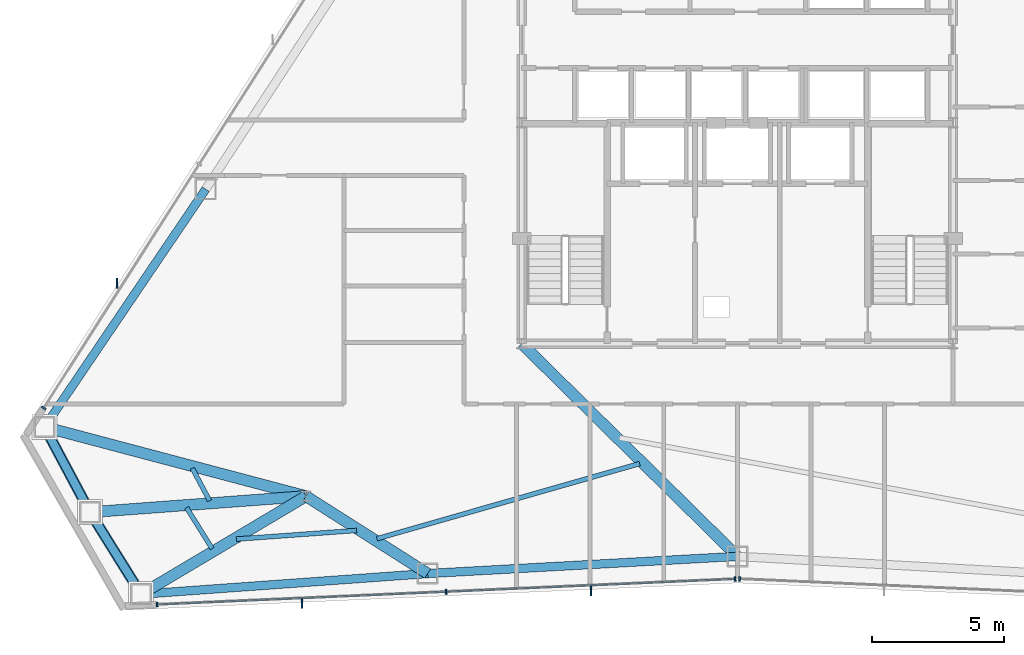
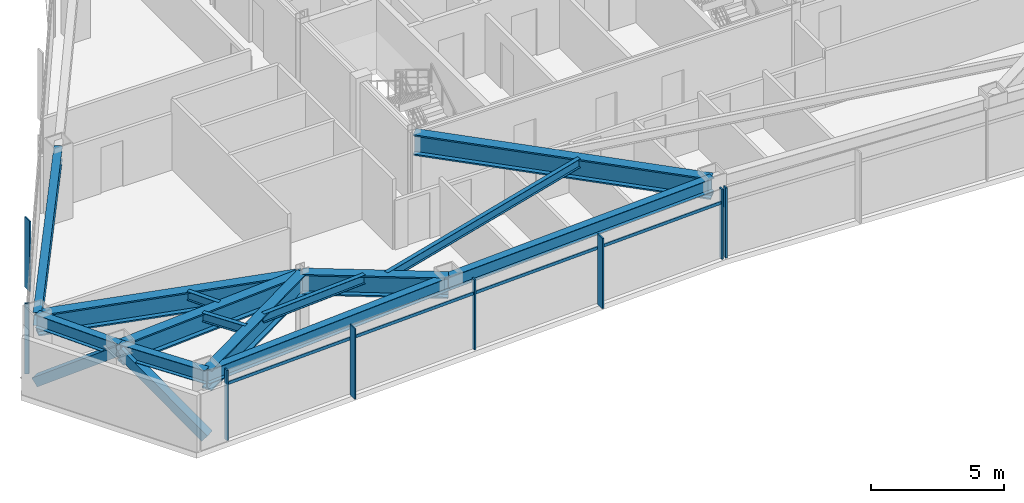
# One storey, part 3 of 13: 14 beams, 11 members, 3 elements without a shape of their own.
"""IFC4 building model written with IfcOpenShell, lengths in metres."""

from ifc_helpers import new_model, si_unit, direction, frame, origin, origin_2d, place, context, subcontext, project, spatial, rectangle, hollow_rectangle, i_section, extrude, source, transform, mapped, material, layer, layer_set, material_profile, profile_set, type_object, type_shapes, element, aggregate, save


model = new_model("IFC4")

# Units and contexts
model_context = context("Model", 3, precision=1e-05, world=origin(), true_north=direction((0.0, 1.0)))
body_context = subcontext(model_context, "Body", "Model", "MODEL_VIEW")
ifc_project = project(units=[si_unit("LENGTHUNIT", "METRE"), si_unit("AREAUNIT", "SQUARE_METRE"), si_unit("VOLUMEUNIT", "CUBIC_METRE"), si_unit("PLANEANGLEUNIT", "RADIAN"), si_unit("MASSUNIT", "GRAM", prefix="KILO")], contexts=[model_context])

# Site, building, storey
site_placement = place(None, origin())
site = spatial("IfcSite", under=ifc_project, at=site_placement, CompositionType="ELEMENT")
building_placement = place(site_placement, origin())
building = spatial("IfcBuilding", under=site, at=building_placement, Name="Varakhsha Concourse Tower", CompositionType="ELEMENT")
storey_placement = place(building_placement, frame((0.0, 0.0, 182.699951171875)))
storey = spatial("IfcBuildingStorey", under=building, at=storey_placement, Name="L52", CompositionType="ELEMENT", Elevation=182.699951171875)

# Beams
ifc_material_1 = material(Name="Structural Steel ASTM A992 Grade 50", Category="steel")
ifc_material_profile_1 = material_profile(ifc_material_1, i_section(OverallWidth=0.177978515625, OverallDepth=0.406982421875, WebThickness=0.008056640625, FlangeThickness=0.012939453125, at=origin_2d()), Name="W16X40")
ifc_profile_set_1 = profile_set([ifc_material_profile_1], Name="Structural Steel ASTM A992 Grade 50")
beam_type_1 = type_object("IfcBeamType", Name="BM-JST-W16X40", PredefinedType="JOIST", material=ifc_profile_set_1)
beam_1_placement = place(storey_placement, frame((19.27880859375, 11.660400390625, 3.006591796875), z_axis=(0.47050649777, -0.88239652966, 0.0), x_axis=(0.88239652966, 0.47050649777, 0.0)))
element("IfcBeam", 1, at=beam_1_placement, inside=storey, type_object=beam_type_1, Name="BM-TJST-L52-07", PredefinedType="JOIST", context=body_context, shape_type="SweptSolid", body=[
    extrude(i_section(OverallWidth=0.177978515625, OverallDepth=0.406982421875, WebThickness=0.008056640625, FlangeThickness=0.012939453125, at=origin_2d()), origin(), (0.0, 0.0, 1.0), 1.395263671875),
])
beam_2_placement = place(storey_placement, frame((19.06005859375, 10.16552734375, 3.006591796875), z_axis=(0.528910929319, -0.848677340835, 0.0), x_axis=(0.848677340835, 0.528910929319, 0.0)))
element("IfcBeam", 2, at=beam_2_placement, inside=storey, type_object=beam_type_1, Name="BM-TJST-L52-08", PredefinedType="JOIST", context=body_context, shape_type="SweptSolid", body=[
    extrude(i_section(OverallWidth=0.177978515625, OverallDepth=0.406982421875, WebThickness=0.008056640625, FlangeThickness=0.012939453125, at=origin_2d()), origin(), (0.0, 0.0, 1.0), 1.836181640625),
])
beam_3_placement = place(storey_placement, frame((20.951416015625, 8.96875, 3.006591796875), z_axis=(0.99741745466, 0.071822149372, 0.0), x_axis=(-0.071822149372, 0.99741745466, 0.0)))
element("IfcBeam", 3, at=beam_3_placement, inside=storey, type_object=beam_type_1, Name="BM-TJST-L52-09", PredefinedType="JOIST", context=body_context, shape_type="SweptSolid", body=[
    extrude(i_section(OverallWidth=0.177978515625, OverallDepth=0.406982421875, WebThickness=0.008056640625, FlangeThickness=0.012939453125, at=origin_2d()), origin(), (0.0, 0.0, 1.0), 4.585693359375),
])
beam_4_placement = place(storey_placement, frame((26.29541015625, 8.9833984375, 3.006591796875), z_axis=(0.961449438596, 0.274981775801, 0.0), x_axis=(-0.274981775801, 0.961449438596, 0.0)))
element("IfcBeam", 4, at=beam_4_placement, inside=storey, type_object=beam_type_1, Name="BM-TJST-L52-10", PredefinedType="JOIST", context=body_context, shape_type="SweptSolid", body=[
    extrude(i_section(OverallWidth=0.177978515625, OverallDepth=0.406982421875, WebThickness=0.008056640625, FlangeThickness=0.012939453125, at=origin_2d()), origin(), (0.0, 0.0, 1.0), 10.391357421875),
])
ifc_material_profile_2 = material_profile(ifc_material_1, i_section(OverallWidth=0.423095703125, OverallDepth=0.947998046875, WebThickness=0.0380859375, FlangeThickness=0.06396484375, at=origin_2d()), Name="W36X302")
ifc_profile_set_2 = profile_set([ifc_material_profile_2], Name="Structural Steel ASTM A992 Grade 50")
beam_type_2 = type_object("IfcBeamType", Name="BM-OUTR-W36X302", PredefinedType="USERDEFINED", material=ifc_profile_set_2)
beam_5_placement = place(storey_placement, frame((23.60009765625, 10.60009765625, 2.736083984375), z_axis=(-0.966706264469, 0.255888644213, 0.0), x_axis=(-0.255888644213, -0.966706264469, 0.0)))
element("IfcBeam", 5, at=beam_5_placement, inside=storey, type_object=beam_type_2, Name="L52 Radial Floor Girder 07", ObjectType="GIRDER", PredefinedType="USERDEFINED", context=body_context, shape_type="SweptSolid", body=[
    extrude(i_section(OverallWidth=0.423095703125, OverallDepth=0.947998046875, WebThickness=0.0380859375, FlangeThickness=0.06396484375, at=origin_2d()), origin(), (0.0, 0.0, 1.0), 10.28125),
])
beam_6_placement = place(storey_placement, frame((23.60009765625, 10.60009765625, 2.736083984375), z_axis=(-0.997259576834, -0.073982000601, 0.0), x_axis=(0.073982000601, -0.997259576834, 0.0)))
element("IfcBeam", 6, at=beam_6_placement, inside=storey, type_object=beam_type_2, Name="L52 Radial Floor Girder 08", ObjectType="GIRDER", PredefinedType="USERDEFINED", context=body_context, shape_type="SweptSolid", body=[
    extrude(i_section(OverallWidth=0.423095703125, OverallDepth=0.947998046875, WebThickness=0.0380859375, FlangeThickness=0.06396484375, at=origin_2d()), origin(), (0.0, 0.0, 1.0), 8.2333984375),
])
beam_7_placement = place(storey_placement, frame((23.60009765625, 10.60009765625, 2.736083984375), z_axis=(-0.859653517762, -0.510877509193, 0.0), x_axis=(0.510877509193, -0.859653517762, 0.0)))
element("IfcBeam", 7, at=beam_7_placement, inside=storey, type_object=beam_type_2, Name="L52 Radial Floor Girder 09", ObjectType="GIRDER", PredefinedType="USERDEFINED", context=body_context, shape_type="SweptSolid", body=[
    extrude(i_section(OverallWidth=0.423095703125, OverallDepth=0.947998046875, WebThickness=0.0380859375, FlangeThickness=0.06396484375, at=origin_2d()), origin(), (0.0, 0.0, 1.0), 7.29248046875),
])
beam_8_placement = place(storey_placement, frame((23.60009765625, 10.60009765625, 2.736083984375), z_axis=(0.843843041269, -0.536590087218, 0.0), x_axis=(0.536590087218, 0.843843041269, 0.0)))
element("IfcBeam", 8, at=beam_8_placement, inside=storey, type_object=beam_type_2, Name="L52 Radial Floor Girder 10", ObjectType="GIRDER", PredefinedType="USERDEFINED", context=body_context, shape_type="SweptSolid", body=[
    extrude(i_section(OverallWidth=0.423095703125, OverallDepth=0.947998046875, WebThickness=0.0380859375, FlangeThickness=0.06396484375, at=origin_2d()), origin(), (0.0, 0.0, 1.0), 5.480224609375),
])
beam_9_placement = place(storey_placement, frame((31.800048828125, 16.39990234375, 2.736083984375), z_axis=(0.711976030117, -0.702203768531, 0.0), x_axis=(0.702203768531, 0.711976030117, 0.0)))
element("IfcBeam", 9, at=beam_9_placement, inside=storey, type_object=beam_type_2, Name="L52 Radial Floor Girder 11", ObjectType="GIRDER", PredefinedType="USERDEFINED", context=body_context, shape_type="SweptSolid", body=[
    extrude(i_section(OverallWidth=0.423095703125, OverallDepth=0.947998046875, WebThickness=0.0380859375, FlangeThickness=0.06396484375, at=origin_2d()), origin(), (0.0, 0.0, 1.0), 11.51708984375),
])
ifc_material_profile_3 = material_profile(ifc_material_1, i_section(OverallWidth=0.323974609375, OverallDepth=0.611083984375, WebThickness=0.012939453125, FlangeThickness=0.01904296875, at=origin_2d()), Name="W24X104")
ifc_profile_set_3 = profile_set([ifc_material_profile_3], Name="Structural Steel ASTM A992 Grade 50")
beam_type_3 = type_object("IfcBeamType", Name="BM-SPAN-W24X104", PredefinedType="SPANDREL", material=ifc_profile_set_3)
beam_10_placement = place(storey_placement, frame((19.78759765625, 22.2724609375, 2.904541015625), z_axis=(-0.560946995481, -0.827851718764, 0.0), x_axis=(0.827851718764, -0.560946995481, 0.0)))
element("IfcBeam", 10, at=beam_10_placement, inside=storey, type_object=beam_type_3, Name="BM-SPAN-L52-06", PredefinedType="SPANDREL", context=body_context, shape_type="SweptSolid", body=[
    extrude(i_section(OverallWidth=0.323974609375, OverallDepth=0.611083984375, WebThickness=0.012939453125, FlangeThickness=0.01904296875, at=origin_2d()), origin(), (0.0, 0.0, 1.0), 10.921630859375),
])
beam_11_placement = place(storey_placement, frame((13.6611328125, 13.23095703125, 2.904541015625), z_axis=(0.470595137047, -0.882349260207, 0.0), x_axis=(0.882349260207, 0.470595137047, 0.0)))
element("IfcBeam", 11, at=beam_11_placement, inside=storey, type_object=beam_type_3, Name="BM-SPAN-L52-07", PredefinedType="SPANDREL", context=body_context, shape_type="SweptSolid", body=[
    extrude(i_section(OverallWidth=0.323974609375, OverallDepth=0.611083984375, WebThickness=0.012939453125, FlangeThickness=0.01904296875, at=origin_2d()), origin(), (0.0, 0.0, 1.0), 3.672119140625),
])
beam_12_placement = place(storey_placement, frame((15.38916015625, 9.990966796875, 2.904541015625), z_axis=(0.528844996181, -0.848718427993, 0.0), x_axis=(0.848718427993, 0.528844996181, 0.0)))
element("IfcBeam", 12, at=beam_12_placement, inside=storey, type_object=beam_type_3, Name="BM-SPAN-L52-08", PredefinedType="SPANDREL", context=body_context, shape_type="SweptSolid", body=[
    extrude(i_section(OverallWidth=0.323974609375, OverallDepth=0.611083984375, WebThickness=0.012939453125, FlangeThickness=0.01904296875, at=origin_2d()), origin(), (0.0, 0.0, 1.0), 3.671875),
])
beam_13_placement = place(storey_placement, frame((17.3310546875, 6.87451171875, 2.904541015625), z_axis=(0.997414254254, 0.071866580624, 0.0), x_axis=(-0.071866580624, 0.997414254254, 0.0)))
element("IfcBeam", 13, at=beam_13_placement, inside=storey, type_object=beam_type_3, Name="BM-SPAN-L52-09", PredefinedType="SPANDREL", context=body_context, shape_type="SweptSolid", body=[
    extrude(i_section(OverallWidth=0.323974609375, OverallDepth=0.611083984375, WebThickness=0.012939453125, FlangeThickness=0.01904296875, at=origin_2d()), origin(), (0.0, 0.0, 1.0), 10.921875),
])
beam_14_placement = place(storey_placement, frame((28.224609375, 7.659423828125, 2.904541015625), z_axis=(0.998465571879, 0.055376003582, 0.0), x_axis=(-0.055376003582, 0.998465571879, 0.0)))
element("IfcBeam", 14, at=beam_14_placement, inside=storey, type_object=beam_type_3, Name="BM-SPAN-L52-10", PredefinedType="SPANDREL", context=body_context, shape_type="SweptSolid", body=[
    extrude(i_section(OverallWidth=0.323974609375, OverallDepth=0.611083984375, WebThickness=0.012939453125, FlangeThickness=0.01904296875, at=origin_2d()), origin(), (0.0, 0.0, 1.0), 11.79345703125),
])

# Members
ifc_material_2 = material(Name="Structural Steel ASTM A500 Grade C", Category="steel")
ifc_material_profile_4 = material_profile(ifc_material_2, hollow_rectangle(XDim=0.39990234375, YDim=0.39990234375, WallThickness=0.01611328125, at=origin_2d()), Name="HSS 400x400x16")
ifc_profile_set_4 = profile_set([ifc_material_profile_4], Name="Structural Steel ASTM A500 Grade C")
member_type_1 = type_object("IfcMemberType", Name="MB-TUBE-HSS400", PredefinedType="BRACE", material=ifc_profile_set_4)
shared_shape_1 = source(origin(), body_context, "Body", "SweptSolid", [
    extrude(hollow_rectangle(XDim=0.39990234375, YDim=0.39990234375, WallThickness=0.01611328125, at=origin_2d()), origin(), (0.0, 0.0, 1.0), 4.61181640625),
])
member_1_placement = place(storey_placement, frame((13.6611328125, 13.23095703125, 0.1201171875), z_axis=(0.37470368715, -0.702556178604, 0.60498922531), x_axis=(0.882349260207, 0.470595137047, 0.0)))
element("IfcMember", 15, at=member_1_placement, inside=storey, type_object=member_type_1, Name="L52 Wind-Corner Tube Brace B03", PredefinedType="BRACE", context=body_context, shape_type="MappedRepresentation", body=[
    mapped(shared_shape_1, transform((0.0, 0.0, 0.0), scale=1.0)),
])
shared_shape_2 = source(origin(), body_context, "Body", "SweptSolid", [
    extrude(hollow_rectangle(XDim=0.39990234375, YDim=0.39990234375, WallThickness=0.01611328125, at=origin_2d()), origin(), (0.0, 0.0, 1.0), 4.611572265625),
])
type_shapes(member_type_1, [shared_shape_1, shared_shape_2])
member_2_placement = place(storey_placement, frame((17.3310546875, 6.87451171875, 0.1201171875), z_axis=(-0.421082078915, 0.675774797253, 0.604994467921), x_axis=(-0.848718427993, -0.528844996181, 0.0)))
element("IfcMember", 16, at=member_2_placement, inside=storey, type_object=member_type_1, Name="L52 Wind-Corner Tube Brace B04", PredefinedType="BRACE", context=body_context, shape_type="MappedRepresentation", body=[
    mapped(shared_shape_2, transform((0.0, 0.0, 0.0), scale=1.0)),
])

# Curtain wall, member
ifc_material_3 = material(Name="Anodised Bronze Architectural Aluminium AA 6063-T6", Category="aluminium")
ifc_layer = layer(ifc_material_3, 0.2099609375, Name="CW-SYS-04")
ifc_layer_set = layer_set([ifc_layer], Name="Anodised Bronze Architectural Aluminium AA 6063-T6")
curtain_wall_type = type_object("IfcCurtainWallType", Name="CW-SYS-04", PredefinedType="NOTDEFINED", material=ifc_layer_set)
curtain_wall_1_placement = place(storey_placement, origin())
curtain_wall_1 = element("IfcCurtainWall", 17, at=curtain_wall_1_placement, inside=storey, type_object=curtain_wall_type, Name="L52 Crystal Curtain Wall F3", PredefinedType="NOTDEFINED")
ifc_material_profile_5 = material_profile(ifc_material_3, rectangle(XDim=0.06005859375, YDim=0.3798828125, at=origin_2d()), Name="FIN-BRZ-380")
ifc_profile_set_5 = profile_set([ifc_material_profile_5], Name="Anodised Bronze Architectural Aluminium AA 6063-T6")
member_type_2 = type_object("IfcMemberType", Name="FIN-BRZ-380", PredefinedType="USERDEFINED", material=ifc_profile_set_5)
shared_shape_3 = source(origin(), body_context, "Body", "SweptSolid", [
    extrude(rectangle(XDim=0.06005859375, YDim=0.3798828125, at=origin_2d()), origin(), (0.0, 0.0, 1.0), 3.2099609375),
])
type_shapes(member_type_2, [shared_shape_3])
member_3_placement = place(storey_placement, frame((16.410400390625, 18.698974609375, 0.0), z_axis=(0.0, 0.0, 1.0), x_axis=(1.0, 0.0, 0.0)))
member_3 = element("IfcMember", 18, at=member_3_placement, type_object=member_type_2, Name="L52 Anodised Bronze Solar Fin F3-1", ObjectType="SOLAR FIN", PredefinedType="USERDEFINED", context=body_context, shape_type="MappedRepresentation", body=[
    mapped(shared_shape_3, transform((0.0, 0.0, 0.0), scale=1.0)),
])

# Curtain wall, members
curtain_wall_2_placement = place(storey_placement, origin())
curtain_wall_2 = element("IfcCurtainWall", 19, at=curtain_wall_2_placement, inside=storey, type_object=curtain_wall_type, Name="L52 Crystal Curtain Wall F5", PredefinedType="NOTDEFINED")
member_4_placement = place(storey_placement, frame((34.428466796875, 7.008544921875, 0.0), z_axis=(0.0, 0.0, 1.0), x_axis=(1.0, 0.0, 0.0)))
member_4 = element("IfcMember", 20, at=member_4_placement, type_object=member_type_2, Name="L52 Anodised Bronze Solar Fin F5-1", ObjectType="SOLAR FIN", PredefinedType="USERDEFINED", context=body_context, shape_type="MappedRepresentation", body=[
    mapped(shared_shape_3, transform((0.0, 0.0, 0.0), scale=1.0)),
])
member_5_placement = place(storey_placement, frame((23.441162109375, 6.521484375, 0.0), z_axis=(0.0, 0.0, 1.0), x_axis=(1.0, 0.0, 0.0)))
member_5 = element("IfcMember", 21, at=member_5_placement, type_object=member_type_2, Name="L52 Anodised Bronze Solar Fin F5-2", ObjectType="SOLAR FIN", PredefinedType="USERDEFINED", context=body_context, shape_type="MappedRepresentation", body=[
    mapped(shared_shape_3, transform((0.0, 0.0, 0.0), scale=1.0)),
])

# Member
ifc_material_profile_6 = material_profile(ifc_material_3, rectangle(XDim=0.06494140625, YDim=0.179931640625, at=origin_2d()), Name="CWM-180X65")
ifc_profile_set_6 = profile_set([ifc_material_profile_6], Name="Anodised Bronze Architectural Aluminium AA 6063-T6")
member_type_3 = type_object("IfcMemberType", Name="CWM-180X65", PredefinedType="MULLION", material=ifc_profile_set_6)
shared_shape_4 = source(origin(), body_context, "Body", "SweptSolid", [
    extrude(rectangle(XDim=0.06494140625, YDim=0.179931640625, at=origin_2d()), origin(), (0.0, 0.0, 1.0), 3.2099609375),
])
type_shapes(member_type_3, [shared_shape_4])
member_6_placement = place(storey_placement, frame((13.62548828125, 13.952880859375, 0.0), z_axis=(0.0, 0.0, 1.0), x_axis=(0.537863262638, 0.84303209352, 0.0)))
member_6 = element("IfcMember", 22, at=member_6_placement, type_object=member_type_3, Name="CW-L52-F3 Mullion 00", PredefinedType="MULLION", context=body_context, shape_type="MappedRepresentation", body=[
    mapped(shared_shape_4, transform((0.0, 0.0, 0.0), scale=1.0)),
])

aggregate(curtain_wall_1, [member_6, member_3])

member_7_placement = place(storey_placement, frame((39.9130859375, 7.456787109375, 0.0), z_axis=(0.0, 0.0, 1.0), x_axis=(-0.999018917807, -0.04428545883, 0.0)))
member_7 = element("IfcMember", 23, at=member_7_placement, type_object=member_type_3, Name="CW-L52-F5 Mullion 00", PredefinedType="MULLION", context=body_context, shape_type="MappedRepresentation", body=[
    mapped(shared_shape_4, transform((0.0, 0.0, 0.0), scale=1.0)),
])

member_8_placement = place(storey_placement, frame((28.92578125, 6.9697265625, 0.0), z_axis=(0.0, 0.0, 1.0), x_axis=(-0.999018917807, -0.04428545883, 0.0)))
member_8 = element("IfcMember", 24, at=member_8_placement, type_object=member_type_3, Name="CW-L52-F5 Mullion 01", PredefinedType="MULLION", context=body_context, shape_type="MappedRepresentation", body=[
    mapped(shared_shape_4, transform((0.0, 0.0, 0.0), scale=1.0)),
])

member_9_placement = place(storey_placement, frame((17.9384765625, 6.482666015625, 0.0), z_axis=(0.0, 0.0, 1.0), x_axis=(-0.999018917807, -0.04428545883, 0.0)))
member_9 = element("IfcMember", 25, at=member_9_placement, type_object=member_type_3, Name="CW-L52-F5 Mullion 02", PredefinedType="MULLION", context=body_context, shape_type="MappedRepresentation", body=[
    mapped(shared_shape_4, transform((0.0, 0.0, 0.0), scale=1.0)),
])

# Curtain wall, member
curtain_wall_3_placement = place(storey_placement, origin())
curtain_wall_3 = element("IfcCurtainWall", 26, at=curtain_wall_3_placement, inside=storey, type_object=curtain_wall_type, Name="L52 Crystal Curtain Wall F6", PredefinedType="NOTDEFINED")
member_10_placement = place(storey_placement, frame((40.0869140625, 7.456787109375, 0.0), z_axis=(0.0, 0.0, 1.0), x_axis=(-0.999018917807, 0.04428545883, 0.0)))
member_10 = element("IfcMember", 27, at=member_10_placement, type_object=member_type_3, Name="CW-L52-F6 Mullion 02", PredefinedType="MULLION", context=body_context, shape_type="MappedRepresentation", body=[
    mapped(shared_shape_4, transform((0.0, 0.0, 0.0), scale=1.0)),
])
aggregate(curtain_wall_3, [member_10])

# Member
ifc_material_profile_7 = material_profile(ifc_material_3, rectangle(XDim=0.06005859375, YDim=0.139892578125, at=origin_2d()), Name="CWT-140X60")
ifc_profile_set_7 = profile_set([ifc_material_profile_7], Name="Anodised Bronze Architectural Aluminium AA 6063-T6")
member_type_4 = type_object("IfcMemberType", Name="CWT-140X60", PredefinedType="USERDEFINED", material=ifc_profile_set_7)
shared_shape_5 = source(origin(), body_context, "Body", "SweptSolid", [
    extrude(rectangle(XDim=0.06005859375, YDim=0.139892578125, at=origin_2d()), origin(), (0.0, 0.0, 1.0), 21.99609375),
])
type_shapes(member_type_4, [shared_shape_5])
member_11_placement = place(storey_placement, frame((39.9130859375, 7.456787109375, 2.56005859375), z_axis=(-0.999018898193, -0.044285901295, 0.0), x_axis=(0.044285901295, -0.999018898193, 0.0)))
member_11 = element("IfcMember", 28, at=member_11_placement, type_object=member_type_4, Name="CW-L52-F5 Transom 01", ObjectType="TRANSOM", PredefinedType="USERDEFINED", context=body_context, shape_type="MappedRepresentation", body=[
    mapped(shared_shape_5, transform((0.0, 0.0, 0.0), scale=1.0)),
])

aggregate(curtain_wall_2, [member_7, member_8, member_9, member_11, member_4, member_5])

save(model, "model.ifc")
